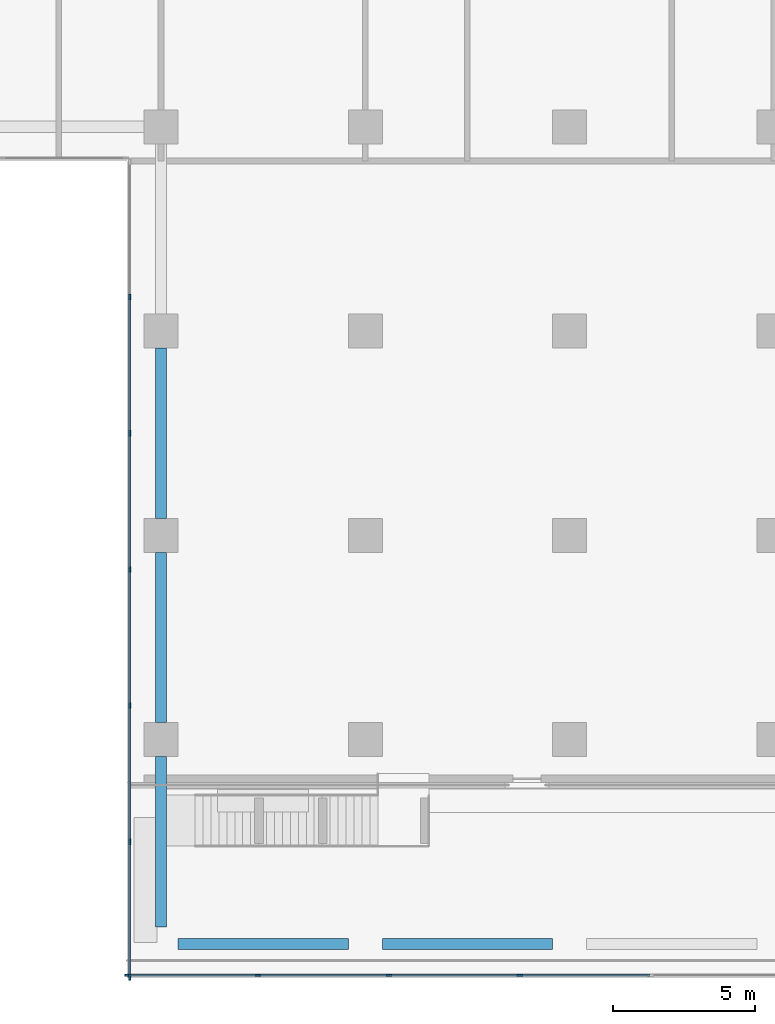
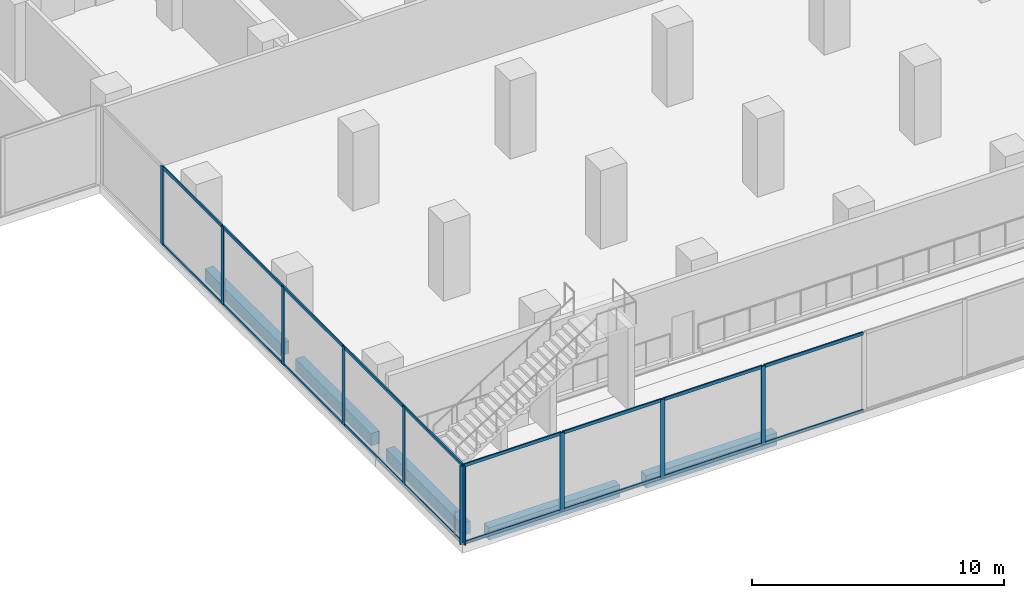
# One storey, part 2 of 27: 28 members, 5 beams, 2 elements without a shape of their own.
"""IFC4 building model written with IfcOpenShell, lengths in metres."""

from ifc_helpers import new_model, si_unit, direction, frame, origin, origin_2d, place, context, subcontext, project, spatial, rectangle, extrude, material, material_profile, profile_set, type_object, element, aggregate, save


model = new_model("IFC4")

# Units and contexts
model_context = context("Model", 3, precision=1e-05, world=origin(), true_north=direction((0.0, 1.0)))
body_context = subcontext(model_context, "Body", "Model", "MODEL_VIEW")
ifc_project = project(units=[si_unit("LENGTHUNIT", "METRE"), si_unit("AREAUNIT", "SQUARE_METRE"), si_unit("VOLUMEUNIT", "CUBIC_METRE"), si_unit("PLANEANGLEUNIT", "RADIAN"), si_unit("MASSUNIT", "GRAM", prefix="KILO")], contexts=[model_context])

# Site, building, storey
site_placement = place(None, origin())
site = spatial("IfcSite", under=ifc_project, at=site_placement, CompositionType="ELEMENT")
building_placement = place(site_placement, origin())
building = spatial("IfcBuilding", under=site, at=building_placement, Name="Windrow Commons", CompositionType="ELEMENT")
storey_placement = place(building_placement, frame((0.0, 0.0, 6.0)))
storey = spatial("IfcBuildingStorey", under=building, at=storey_placement, Name="L01", CompositionType="ELEMENT", Elevation=6.0)

# Curtain wall, members
ifc_material_1 = material(Name="Clear laminated glass in Aluminium 6063-T6 anodised frame", Category="aluminium")
curtain_wall_type = type_object("IfcCurtainWallType", Name="Curtain wall CW1 podium study hall", PredefinedType="USERDEFINED", material=ifc_material_1)
placement = place(storey_placement, origin())
curtain_wall_1 = element("IfcCurtainWall", 1, at=placement, inside=storey, type_object=curtain_wall_type, Name="Curtain wall CW1 L01 12", ObjectType="STICK", PredefinedType="USERDEFINED")
ifc_material_2 = material(Name="Aluminium 6063-T6", Category="aluminium")
ifc_material_profile_1 = material_profile(ifc_material_2, rectangle(XDim=0.06, YDim=0.2, at=origin_2d()))
ifc_profile_set_1 = profile_set([ifc_material_profile_1], Name="Aluminium 6063-T6")
member_type_1 = type_object("IfcMemberType", Name="CW1 mullion 60x200", PredefinedType="MULLION", material=ifc_profile_set_1)
member_1_placement = place(storey_placement, frame((13.3, 37.2, 0.0), z_axis=(0.0, 0.0, 1.0), x_axis=(1.0, 0.0, 0.0)))
member_1 = element("IfcMember", 2, at=member_1_placement, type_object=member_type_1, Name="CW1 mullion 2", PredefinedType="MULLION", context=body_context, shape_type="SweptSolid", body=[
    extrude(rectangle(XDim=0.06, YDim=0.2, at=origin_2d()), origin(), (0.0, 0.0, 1.0), 3.8),
])
member_2_placement = place(storey_placement, frame((13.3, 32.4, 0.0), z_axis=(0.0, 0.0, 1.0), x_axis=(1.0, 0.0, 0.0)))
member_2 = element("IfcMember", 3, at=member_2_placement, type_object=member_type_1, Name="CW1 mullion 3", PredefinedType="MULLION", context=body_context, shape_type="SweptSolid", body=[
    extrude(rectangle(XDim=0.06, YDim=0.2, at=origin_2d()), origin(), (0.0, 0.0, 1.0), 3.8),
])
member_3_placement = place(storey_placement, frame((13.3, 27.6, 0.0), z_axis=(0.0, 0.0, 1.0), x_axis=(1.0, 0.0, 0.0)))
member_3 = element("IfcMember", 4, at=member_3_placement, type_object=member_type_1, Name="CW1 mullion 4", PredefinedType="MULLION", context=body_context, shape_type="SweptSolid", body=[
    extrude(rectangle(XDim=0.06, YDim=0.2, at=origin_2d()), origin(), (0.0, 0.0, 1.0), 3.8),
])
member_4_placement = place(storey_placement, frame((13.3, 22.8, 0.0), z_axis=(0.0, 0.0, 1.0), x_axis=(1.0, 0.0, 0.0)))
member_4 = element("IfcMember", 5, at=member_4_placement, type_object=member_type_1, Name="CW1 mullion 5", PredefinedType="MULLION", context=body_context, shape_type="SweptSolid", body=[
    extrude(rectangle(XDim=0.06, YDim=0.2, at=origin_2d()), origin(), (0.0, 0.0, 1.0), 3.8),
])
member_5_placement = place(storey_placement, frame((13.3, 18.0, 0.0), z_axis=(0.0, 0.0, 1.0), x_axis=(1.0, 0.0, 0.0)))
member_5 = element("IfcMember", 6, at=member_5_placement, type_object=member_type_1, Name="CW1 mullion 6", PredefinedType="MULLION", context=body_context, shape_type="SweptSolid", body=[
    extrude(rectangle(XDim=0.06, YDim=0.2, at=origin_2d()), origin(), (0.0, 0.0, 1.0), 3.8),
])
member_6_placement = place(storey_placement, frame((13.3, 13.23, 0.0), z_axis=(0.0, 0.0, 1.0), x_axis=(1.0, 0.0, 0.0)))
member_6 = element("IfcMember", 7, at=member_6_placement, type_object=member_type_1, Name="CW1 mullion 7", PredefinedType="MULLION", context=body_context, shape_type="SweptSolid", body=[
    extrude(rectangle(XDim=0.06, YDim=0.2, at=origin_2d()), origin(), (0.0, 0.0, 1.0), 3.8),
])

curtain_wall_2 = element("IfcCurtainWall", 8, at=placement, inside=storey, type_object=curtain_wall_type, Name="Curtain wall CW1 L01 13", ObjectType="STICK", PredefinedType="USERDEFINED")
member_7_placement = place(storey_placement, frame((13.23, 13.3, 0.0), z_axis=(0.0, 0.0, 1.0), x_axis=(0.0, 1.0, 0.0)))
member_7 = element("IfcMember", 9, at=member_7_placement, type_object=member_type_1, Name="CW1 mullion 1", PredefinedType="MULLION", context=body_context, shape_type="SweptSolid", body=[
    extrude(rectangle(XDim=0.06, YDim=0.2, at=origin_2d()), origin(), (0.0, 0.0, 1.0), 3.8),
])
member_8_placement = place(storey_placement, frame((17.8154, 13.3, 0.0), z_axis=(0.0, 0.0, 1.0), x_axis=(0.0, 1.0, 0.0)))
member_8 = element("IfcMember", 10, at=member_8_placement, type_object=member_type_1, Name="CW1 mullion 2", PredefinedType="MULLION", context=body_context, shape_type="SweptSolid", body=[
    extrude(rectangle(XDim=0.06, YDim=0.2, at=origin_2d()), origin(), (0.0, 0.0, 1.0), 3.8),
])
member_9_placement = place(storey_placement, frame((22.4308, 13.3, 0.0), z_axis=(0.0, 0.0, 1.0), x_axis=(0.0, 1.0, 0.0)))
member_9 = element("IfcMember", 11, at=member_9_placement, type_object=member_type_1, Name="CW1 mullion 3", PredefinedType="MULLION", context=body_context, shape_type="SweptSolid", body=[
    extrude(rectangle(XDim=0.06, YDim=0.2, at=origin_2d()), origin(), (0.0, 0.0, 1.0), 3.8),
])
member_10_placement = place(storey_placement, frame((27.0462, 13.3, 0.0), z_axis=(0.0, 0.0, 1.0), x_axis=(0.0, 1.0, 0.0)))
member_10 = element("IfcMember", 12, at=member_10_placement, type_object=member_type_1, Name="CW1 mullion 4", PredefinedType="MULLION", context=body_context, shape_type="SweptSolid", body=[
    extrude(rectangle(XDim=0.06, YDim=0.2, at=origin_2d()), origin(), (0.0, 0.0, 1.0), 3.8),
])

# Member
ifc_material_3 = material(Name="Aluminium 6063-T6", Category="aluminium")
ifc_material_profile_2 = material_profile(ifc_material_3, rectangle(XDim=0.06, YDim=0.15, at=origin_2d()))
ifc_profile_set_2 = profile_set([ifc_material_profile_2], Name="Aluminium 6063-T6")
member_type_2 = type_object("IfcMemberType", Name="CW1 transom 60x150", PredefinedType="USERDEFINED", material=ifc_profile_set_2)
member_11_placement = place(storey_placement, frame((13.3, 37.17, 0.03), z_axis=(0.0, -1.0, 0.0), x_axis=(1.0, 0.0, 0.0)))
member_11 = element("IfcMember", 13, at=member_11_placement, type_object=member_type_2, Name="CW1 transom 2.1", ObjectType="TRANSOM", PredefinedType="USERDEFINED", context=body_context, shape_type="SweptSolid", body=[
    extrude(rectangle(XDim=0.06, YDim=0.15, at=origin_2d()), origin(), (0.0, 0.0, 1.0), 4.74),
])

member_12_placement = place(storey_placement, frame((13.3, 37.17, 3.77), z_axis=(0.0, -1.0, 0.0), x_axis=(1.0, 0.0, 0.0)))
member_12 = element("IfcMember", 14, at=member_12_placement, type_object=member_type_2, Name="CW1 transom 2.2", ObjectType="TRANSOM", PredefinedType="USERDEFINED", context=body_context, shape_type="SweptSolid", body=[
    extrude(rectangle(XDim=0.06, YDim=0.15, at=origin_2d()), origin(), (0.0, 0.0, 1.0), 4.74),
])

member_13_placement = place(storey_placement, frame((13.3, 32.37, 0.03), z_axis=(0.0, -1.0, 0.0), x_axis=(1.0, 0.0, 0.0)))
member_13 = element("IfcMember", 15, at=member_13_placement, type_object=member_type_2, Name="CW1 transom 3.1", ObjectType="TRANSOM", PredefinedType="USERDEFINED", context=body_context, shape_type="SweptSolid", body=[
    extrude(rectangle(XDim=0.06, YDim=0.15, at=origin_2d()), origin(), (0.0, 0.0, 1.0), 4.74),
])

member_14_placement = place(storey_placement, frame((13.3, 32.37, 3.77), z_axis=(0.0, -1.0, 0.0), x_axis=(1.0, 0.0, 0.0)))
member_14 = element("IfcMember", 16, at=member_14_placement, type_object=member_type_2, Name="CW1 transom 3.2", ObjectType="TRANSOM", PredefinedType="USERDEFINED", context=body_context, shape_type="SweptSolid", body=[
    extrude(rectangle(XDim=0.06, YDim=0.15, at=origin_2d()), origin(), (0.0, 0.0, 1.0), 4.74),
])

member_15_placement = place(storey_placement, frame((13.3, 27.57, 0.03), z_axis=(0.0, -1.0, 0.0), x_axis=(1.0, 0.0, 0.0)))
member_15 = element("IfcMember", 17, at=member_15_placement, type_object=member_type_2, Name="CW1 transom 4.1", ObjectType="TRANSOM", PredefinedType="USERDEFINED", context=body_context, shape_type="SweptSolid", body=[
    extrude(rectangle(XDim=0.06, YDim=0.15, at=origin_2d()), origin(), (0.0, 0.0, 1.0), 4.74),
])

member_16_placement = place(storey_placement, frame((13.3, 27.57, 3.77), z_axis=(0.0, -1.0, 0.0), x_axis=(1.0, 0.0, 0.0)))
member_16 = element("IfcMember", 18, at=member_16_placement, type_object=member_type_2, Name="CW1 transom 4.2", ObjectType="TRANSOM", PredefinedType="USERDEFINED", context=body_context, shape_type="SweptSolid", body=[
    extrude(rectangle(XDim=0.06, YDim=0.15, at=origin_2d()), origin(), (0.0, 0.0, 1.0), 4.74),
])

member_17_placement = place(storey_placement, frame((13.3, 22.77, 0.03), z_axis=(0.0, -1.0, 0.0), x_axis=(1.0, 0.0, 0.0)))
member_17 = element("IfcMember", 19, at=member_17_placement, type_object=member_type_2, Name="CW1 transom 5.1", ObjectType="TRANSOM", PredefinedType="USERDEFINED", context=body_context, shape_type="SweptSolid", body=[
    extrude(rectangle(XDim=0.06, YDim=0.15, at=origin_2d()), origin(), (0.0, 0.0, 1.0), 4.74),
])

member_18_placement = place(storey_placement, frame((13.3, 22.77, 3.77), z_axis=(0.0, -1.0, 0.0), x_axis=(1.0, 0.0, 0.0)))
member_18 = element("IfcMember", 20, at=member_18_placement, type_object=member_type_2, Name="CW1 transom 5.2", ObjectType="TRANSOM", PredefinedType="USERDEFINED", context=body_context, shape_type="SweptSolid", body=[
    extrude(rectangle(XDim=0.06, YDim=0.15, at=origin_2d()), origin(), (0.0, 0.0, 1.0), 4.74),
])

member_19_placement = place(storey_placement, frame((13.3, 17.97, 0.03), z_axis=(0.0, -1.0, 0.0), x_axis=(1.0, 0.0, 0.0)))
member_19 = element("IfcMember", 21, at=member_19_placement, type_object=member_type_2, Name="CW1 transom 6.1", ObjectType="TRANSOM", PredefinedType="USERDEFINED", context=body_context, shape_type="SweptSolid", body=[
    extrude(rectangle(XDim=0.06, YDim=0.15, at=origin_2d()), origin(), (0.0, 0.0, 1.0), 4.71),
])

member_20_placement = place(storey_placement, frame((13.3, 17.97, 3.77), z_axis=(0.0, -1.0, 0.0), x_axis=(1.0, 0.0, 0.0)))
member_20 = element("IfcMember", 22, at=member_20_placement, type_object=member_type_2, Name="CW1 transom 6.2", ObjectType="TRANSOM", PredefinedType="USERDEFINED", context=body_context, shape_type="SweptSolid", body=[
    extrude(rectangle(XDim=0.06, YDim=0.15, at=origin_2d()), origin(), (0.0, 0.0, 1.0), 4.71),
])

aggregate(curtain_wall_1, [member_1, member_2, member_3, member_4, member_5, member_6, member_11, member_12, member_13, member_14, member_15, member_16, member_17, member_18, member_19, member_20])

member_21_placement = place(storey_placement, frame((13.26, 13.3, 0.03), z_axis=(1.0, 0.0, 0.0), x_axis=(0.0, 1.0, 0.0)))
member_21 = element("IfcMember", 23, at=member_21_placement, type_object=member_type_2, Name="CW1 transom 1.1", ObjectType="TRANSOM", PredefinedType="USERDEFINED", context=body_context, shape_type="SweptSolid", body=[
    extrude(rectangle(XDim=0.06, YDim=0.15, at=origin_2d()), origin(), (0.0, 0.0, 1.0), 4.5254),
])

member_22_placement = place(storey_placement, frame((13.26, 13.3, 3.77), z_axis=(1.0, 0.0, 0.0), x_axis=(0.0, 1.0, 0.0)))
member_22 = element("IfcMember", 24, at=member_22_placement, type_object=member_type_2, Name="CW1 transom 1.2", ObjectType="TRANSOM", PredefinedType="USERDEFINED", context=body_context, shape_type="SweptSolid", body=[
    extrude(rectangle(XDim=0.06, YDim=0.15, at=origin_2d()), origin(), (0.0, 0.0, 1.0), 4.5254),
])

member_23_placement = place(storey_placement, frame((17.8454, 13.3, 0.03), z_axis=(1.0, 0.0, 0.0), x_axis=(0.0, 1.0, 0.0)))
member_23 = element("IfcMember", 25, at=member_23_placement, type_object=member_type_2, Name="CW1 transom 2.1", ObjectType="TRANSOM", PredefinedType="USERDEFINED", context=body_context, shape_type="SweptSolid", body=[
    extrude(rectangle(XDim=0.06, YDim=0.15, at=origin_2d()), origin(), (0.0, 0.0, 1.0), 4.5554),
])

member_24_placement = place(storey_placement, frame((17.8454, 13.3, 3.77), z_axis=(1.0, 0.0, 0.0), x_axis=(0.0, 1.0, 0.0)))
member_24 = element("IfcMember", 26, at=member_24_placement, type_object=member_type_2, Name="CW1 transom 2.2", ObjectType="TRANSOM", PredefinedType="USERDEFINED", context=body_context, shape_type="SweptSolid", body=[
    extrude(rectangle(XDim=0.06, YDim=0.15, at=origin_2d()), origin(), (0.0, 0.0, 1.0), 4.5554),
])

member_25_placement = place(storey_placement, frame((22.4608, 13.3, 0.03), z_axis=(1.0, 0.0, 0.0), x_axis=(0.0, 1.0, 0.0)))
member_25 = element("IfcMember", 27, at=member_25_placement, type_object=member_type_2, Name="CW1 transom 3.1", ObjectType="TRANSOM", PredefinedType="USERDEFINED", context=body_context, shape_type="SweptSolid", body=[
    extrude(rectangle(XDim=0.06, YDim=0.15, at=origin_2d()), origin(), (0.0, 0.0, 1.0), 4.5554),
])

member_26_placement = place(storey_placement, frame((22.4608, 13.3, 3.77), z_axis=(1.0, 0.0, 0.0), x_axis=(0.0, 1.0, 0.0)))
member_26 = element("IfcMember", 28, at=member_26_placement, type_object=member_type_2, Name="CW1 transom 3.2", ObjectType="TRANSOM", PredefinedType="USERDEFINED", context=body_context, shape_type="SweptSolid", body=[
    extrude(rectangle(XDim=0.06, YDim=0.15, at=origin_2d()), origin(), (0.0, 0.0, 1.0), 4.5554),
])

member_27_placement = place(storey_placement, frame((27.0762, 13.3, 0.03), z_axis=(1.0, 0.0, 0.0), x_axis=(0.0, 1.0, 0.0)))
member_27 = element("IfcMember", 29, at=member_27_placement, type_object=member_type_2, Name="CW1 transom 4.1", ObjectType="TRANSOM", PredefinedType="USERDEFINED", context=body_context, shape_type="SweptSolid", body=[
    extrude(rectangle(XDim=0.06, YDim=0.15, at=origin_2d()), origin(), (0.0, 0.0, 1.0), 4.5553),
])

member_28_placement = place(storey_placement, frame((27.0762, 13.3, 3.77), z_axis=(1.0, 0.0, 0.0), x_axis=(0.0, 1.0, 0.0)))
member_28 = element("IfcMember", 30, at=member_28_placement, type_object=member_type_2, Name="CW1 transom 4.2", ObjectType="TRANSOM", PredefinedType="USERDEFINED", context=body_context, shape_type="SweptSolid", body=[
    extrude(rectangle(XDim=0.06, YDim=0.15, at=origin_2d()), origin(), (0.0, 0.0, 1.0), 4.5553),
])

aggregate(curtain_wall_2, [member_7, member_8, member_9, member_10, member_21, member_22, member_23, member_24, member_25, member_26, member_27, member_28])

# Beams
ifc_material_4 = material(Name="Concrete C60/75", Category="concrete")
ifc_material_profile_3 = material_profile(ifc_material_4, rectangle(XDim=0.4, YDim=0.6, at=origin_2d()))
ifc_profile_set_3 = profile_set([ifc_material_profile_3], Name="Concrete C60/75")
beam_type = type_object("IfcBeamType", Name="RC EDGE BEAM 400x600 C60/75", PredefinedType="SPANDREL", material=ifc_profile_set_3)
for number, where, z_axis, x_axis, name in (
    (31, (28.2, 14.4, -0.7), (-1.0, 0.0, 0.0), (0.0, -1.0, 0.0), "Edge beam L01 041"),
    (32, (21.0, 14.4, -0.7), (-1.0, 0.0, 0.0), (0.0, -1.0, 0.0), "Edge beam L01 042"),
    (33, (14.4, 15.0, -0.7), (0.0, 1.0, 0.0), (-1.0, 0.0, 0.0), "Edge beam L01 043"),
    (34, (14.4, 22.2, -0.7), (0.0, 1.0, 0.0), (-1.0, 0.0, 0.0), "Edge beam L01 044"),
    (35, (14.4, 29.4, -0.7), (0.0, 1.0, 0.0), (-1.0, 0.0, 0.0), "Edge beam L01 045"),
):
    element("IfcBeam", number, at=place(storey_placement, frame(where, z_axis=z_axis, x_axis=x_axis)), inside=storey, type_object=beam_type, Name=name, PredefinedType="SPANDREL", context=body_context, shape_type="SweptSolid", body=[
        extrude(rectangle(XDim=0.4, YDim=0.6, at=origin_2d()), origin(), (0.0, 0.0, 1.0), 6.0),
    ])

save(model, "model.ifc")
